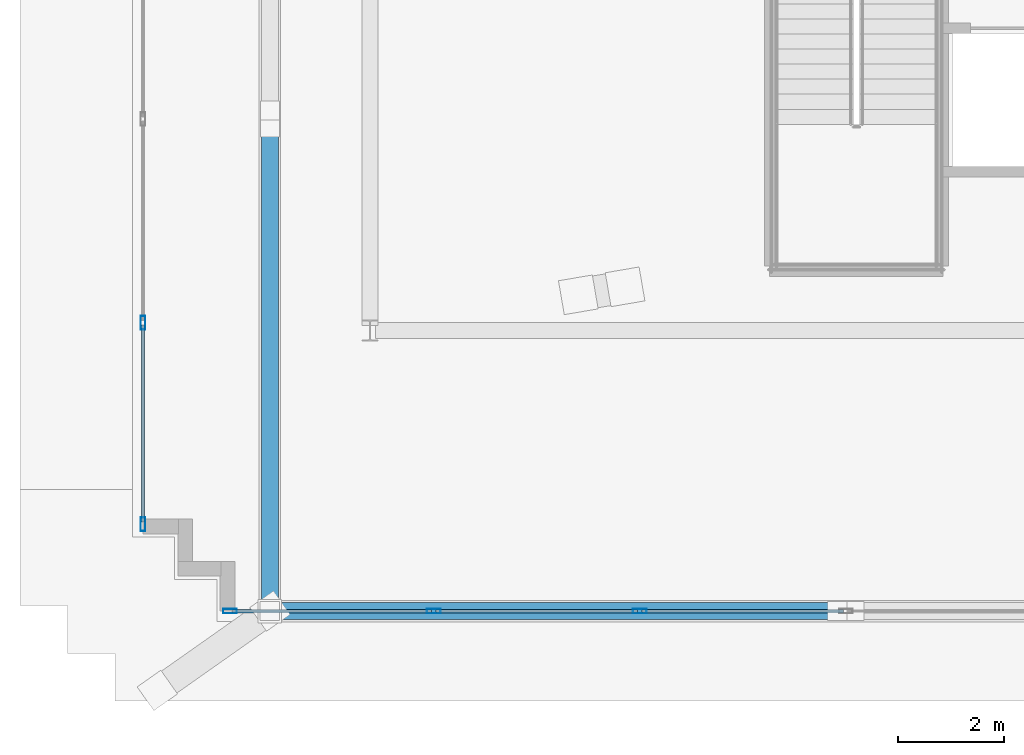
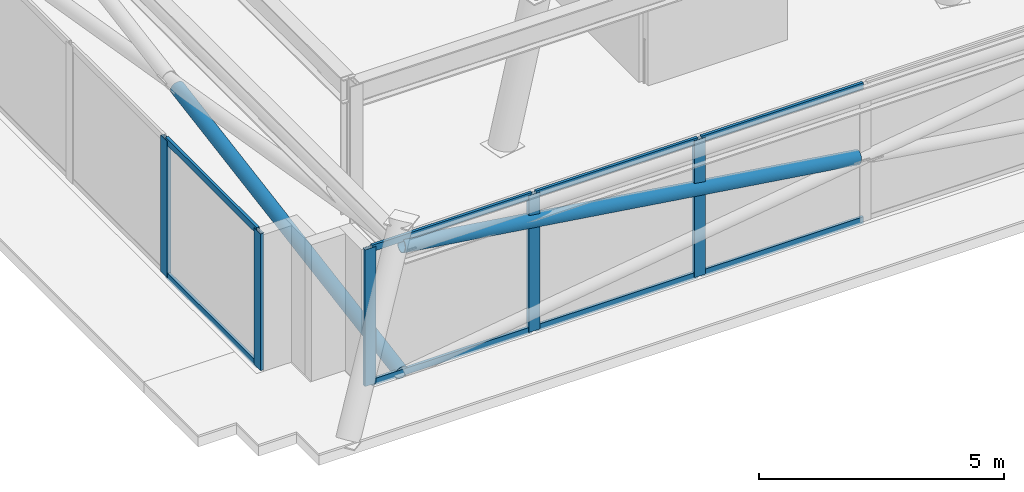
# One storey, part 2 of 13: 15 members, 2 elements without a shape of their own.
"""IFC4 building model written with IfcOpenShell, lengths in metres."""

from ifc_helpers import new_model, si_unit, direction, frame, origin, origin_2d, place, context, subcontext, project, spatial, hollow_rectangle, hollow_circle, extrude, material, layer, layer_set, material_profile, profile_set, type_object, element, aggregate, save


model = new_model("IFC4")

# Units and contexts
model_context = context("Model", 3, precision=1e-05, world=origin(), true_north=direction((0.0, 1.0)))
body_context = subcontext(model_context, "Body", "Model", "MODEL_VIEW")
ifc_project = project(units=[si_unit("LENGTHUNIT", "METRE"), si_unit("AREAUNIT", "SQUARE_METRE"), si_unit("VOLUMEUNIT", "CUBIC_METRE"), si_unit("PLANEANGLEUNIT", "RADIAN"), si_unit("MASSUNIT", "GRAM", prefix="KILO")], contexts=[model_context])

# Site, building, storey
site_placement = place(None, origin())
site = spatial("IfcSite", under=ifc_project, at=site_placement, CompositionType="ELEMENT")
building_placement = place(site_placement, origin())
building = spatial("IfcBuilding", under=site, at=building_placement, Name="Qobustan Lattice House", CompositionType="ELEMENT")
storey_placement = place(building_placement, frame((0.0, 0.0, 285.39990234375)))
storey = spatial("IfcBuildingStorey", under=building, at=storey_placement, Name="L80", CompositionType="ELEMENT", Elevation=285.39990234375)

# Curtain wall, members
ifc_material_1 = material(Name="Anodised aluminium and low-E glazing", Category="aluminium")
ifc_layer = layer(ifc_material_1, 0.219970703125)
ifc_layer_set = layer_set([ifc_layer], Name="Anodised aluminium and low-E glazing")
curtain_wall_type = type_object("IfcCurtainWallType", Name="CW-CRN-01", PredefinedType="USERDEFINED", material=ifc_layer_set)
curtain_wall_1_placement = place(storey_placement, origin())
curtain_wall_1 = element("IfcCurtainWall", 1, at=curtain_wall_1_placement, inside=storey, type_object=curtain_wall_type, Name="L80 glass-point crown faceted curtain wall 5", ObjectType="CURTAIN WALL", PredefinedType="USERDEFINED")
ifc_material_2 = material(Name="Anodised aluminium EN AW-6063 T6", Category="aluminium")
ifc_material_profile_1 = material_profile(ifc_material_2, hollow_rectangle(XDim=0.090087890625, YDim=0.260009765625, WallThickness=0.006103515625, at=origin_2d()), Name="CWM-CROWN-260x90")
ifc_profile_set_1 = profile_set([ifc_material_profile_1], Name="Anodised aluminium EN AW-6063 T6")
member_type_1 = type_object("IfcMemberType", Name="CWM-CRN-260", PredefinedType="MULLION", material=ifc_profile_set_1)
member_1_placement = place(storey_placement, frame((-13.493408203125, -9.261474609375, 0.0), z_axis=(0.0, 0.0, 1.0), x_axis=(-1.0, 0.0, 0.0)))
member_1 = element("IfcMember", 2, at=member_1_placement, type_object=member_type_1, Name="CW-CR mullion 1", PredefinedType="MULLION", context=body_context, shape_type="SweptSolid", body=[
    extrude(hollow_rectangle(XDim=0.090087890625, YDim=0.260009765625, WallThickness=0.006103515625, at=origin_2d()), origin(), (0.0, 0.0, 1.0), 3.400146484375),
])
member_2_placement = place(storey_placement, frame((-13.493408203125, -5.453369140625, 0.0), z_axis=(0.0, 0.0, 1.0), x_axis=(-1.0, 0.0, 0.0)))
member_2 = element("IfcMember", 3, at=member_2_placement, type_object=member_type_1, Name="CW-CR mullion 2", PredefinedType="MULLION", context=body_context, shape_type="SweptSolid", body=[
    extrude(hollow_rectangle(XDim=0.090087890625, YDim=0.260009765625, WallThickness=0.006103515625, at=origin_2d()), origin(), (0.0, 0.0, 1.0), 3.400146484375),
])

curtain_wall_2_placement = place(storey_placement, origin())
curtain_wall_2 = element("IfcCurtainWall", 4, at=curtain_wall_2_placement, inside=storey, type_object=curtain_wall_type, Name="L80 glass-point crown faceted curtain wall 20", ObjectType="CURTAIN WALL", PredefinedType="USERDEFINED")
member_3_placement = place(storey_placement, frame((-4.097900390625, -10.906494140625, 0.0), z_axis=(0.0, 0.0, 1.0), x_axis=(0.0, -1.0, 0.0)))
member_3 = element("IfcMember", 5, at=member_3_placement, type_object=member_type_1, Name="CW-CR mullion 5", PredefinedType="MULLION", context=body_context, shape_type="SweptSolid", body=[
    extrude(hollow_rectangle(XDim=0.090087890625, YDim=0.260009765625, WallThickness=0.006103515625, at=origin_2d()), origin(), (0.0, 0.0, 1.0), 3.400146484375),
])
member_4_placement = place(storey_placement, frame((-7.99560546875, -10.906494140625, 0.0), z_axis=(0.0, 0.0, 1.0), x_axis=(0.0, -1.0, 0.0)))
member_4 = element("IfcMember", 6, at=member_4_placement, type_object=member_type_1, Name="CW-CR mullion 6", PredefinedType="MULLION", context=body_context, shape_type="SweptSolid", body=[
    extrude(hollow_rectangle(XDim=0.090087890625, YDim=0.260009765625, WallThickness=0.006103515625, at=origin_2d()), origin(), (0.0, 0.0, 1.0), 3.400146484375),
])
member_5_placement = place(storey_placement, frame((-11.848388671875, -10.906494140625, 0.0), z_axis=(0.0, 0.0, 1.0), x_axis=(0.0, -1.0, 0.0)))
member_5 = element("IfcMember", 7, at=member_5_placement, type_object=member_type_1, Name="CW-CR mullion 7", PredefinedType="MULLION", context=body_context, shape_type="SweptSolid", body=[
    extrude(hollow_rectangle(XDim=0.090087890625, YDim=0.260009765625, WallThickness=0.006103515625, at=origin_2d()), origin(), (0.0, 0.0, 1.0), 3.400146484375),
])

# Member
ifc_material_3 = material(Name="Anodised aluminium EN AW-6063 T6", Category="aluminium")
ifc_material_profile_2 = material_profile(ifc_material_3, hollow_rectangle(XDim=0.06494140625, YDim=0.159912109375, WallThickness=0.00390625, at=origin_2d()), Name="CWT-160x65")
ifc_profile_set_2 = profile_set([ifc_material_profile_2], Name="Anodised aluminium EN AW-6063 T6")
member_type_2 = type_object("IfcMemberType", Name="CWT-HOR-160", PredefinedType="USERDEFINED", material=ifc_profile_set_2)
member_6_placement = place(storey_placement, frame((-13.493408203125, -9.216552734375, 0.03271484375), z_axis=(0.0, 1.0, 0.0), x_axis=(-1.0, 0.0, 0.0)))
member_6 = element("IfcMember", 8, at=member_6_placement, type_object=member_type_2, Name="CW-CR transom 1.1", ObjectType="TRANSOM", PredefinedType="USERDEFINED", context=body_context, shape_type="SweptSolid", body=[
    extrude(hollow_rectangle(XDim=0.06494140625, YDim=0.159912109375, WallThickness=0.00390625, at=origin_2d()), origin(), (0.0, 0.0, 1.0), 3.71826171875),
])

member_7_placement = place(storey_placement, frame((-13.493408203125, -9.216552734375, 3.36767578125), z_axis=(0.0, 1.0, 0.0), x_axis=(-1.0, 0.0, 0.0)))
member_7 = element("IfcMember", 9, at=member_7_placement, type_object=member_type_2, Name="CW-CR transom 1.2", ObjectType="TRANSOM", PredefinedType="USERDEFINED", context=body_context, shape_type="SweptSolid", body=[
    extrude(hollow_rectangle(XDim=0.06494140625, YDim=0.159912109375, WallThickness=0.00390625, at=origin_2d()), origin(), (0.0, 0.0, 1.0), 3.71826171875),
])

aggregate(curtain_wall_1, [member_1, member_2, member_6, member_7])

member_8_placement = place(storey_placement, frame((-0.2451171875, -10.906494140625, 0.03271484375), z_axis=(-1.0, 0.0, 0.0), x_axis=(0.0, -1.0, 0.0)))
member_8 = element("IfcMember", 10, at=member_8_placement, type_object=member_type_2, Name="CW-CR transom 4.1", ObjectType="TRANSOM", PredefinedType="USERDEFINED", context=body_context, shape_type="SweptSolid", body=[
    extrude(hollow_rectangle(XDim=0.06494140625, YDim=0.159912109375, WallThickness=0.00390625, at=origin_2d()), origin(), (0.0, 0.0, 1.0), 3.8076171875),
])

member_9_placement = place(storey_placement, frame((-0.2451171875, -10.906494140625, 3.36767578125), z_axis=(-1.0, 0.0, 0.0), x_axis=(0.0, -1.0, 0.0)))
member_9 = element("IfcMember", 11, at=member_9_placement, type_object=member_type_2, Name="CW-CR transom 4.2", ObjectType="TRANSOM", PredefinedType="USERDEFINED", context=body_context, shape_type="SweptSolid", body=[
    extrude(hollow_rectangle(XDim=0.06494140625, YDim=0.159912109375, WallThickness=0.00390625, at=origin_2d()), origin(), (0.0, 0.0, 1.0), 3.8076171875),
])

member_10_placement = place(storey_placement, frame((-4.142822265625, -10.906494140625, 0.03271484375), z_axis=(-1.0, 0.0, 0.0), x_axis=(0.0, -1.0, 0.0)))
member_10 = element("IfcMember", 12, at=member_10_placement, type_object=member_type_2, Name="CW-CR transom 5.1", ObjectType="TRANSOM", PredefinedType="USERDEFINED", context=body_context, shape_type="SweptSolid", body=[
    extrude(hollow_rectangle(XDim=0.06494140625, YDim=0.159912109375, WallThickness=0.00390625, at=origin_2d()), origin(), (0.0, 0.0, 1.0), 3.807861328125),
])

member_11_placement = place(storey_placement, frame((-4.142822265625, -10.906494140625, 3.36767578125), z_axis=(-1.0, 0.0, 0.0), x_axis=(0.0, -1.0, 0.0)))
member_11 = element("IfcMember", 13, at=member_11_placement, type_object=member_type_2, Name="CW-CR transom 5.2", ObjectType="TRANSOM", PredefinedType="USERDEFINED", context=body_context, shape_type="SweptSolid", body=[
    extrude(hollow_rectangle(XDim=0.06494140625, YDim=0.159912109375, WallThickness=0.00390625, at=origin_2d()), origin(), (0.0, 0.0, 1.0), 3.807861328125),
])

member_12_placement = place(storey_placement, frame((-8.040771484375, -10.906494140625, 0.03271484375), z_axis=(-1.0, 0.0, 0.0), x_axis=(0.0, -1.0, 0.0)))
member_12 = element("IfcMember", 14, at=member_12_placement, type_object=member_type_2, Name="CW-CR transom 6.1", ObjectType="TRANSOM", PredefinedType="USERDEFINED", context=body_context, shape_type="SweptSolid", body=[
    extrude(hollow_rectangle(XDim=0.06494140625, YDim=0.159912109375, WallThickness=0.00390625, at=origin_2d()), origin(), (0.0, 0.0, 1.0), 3.7626953125),
])

member_13_placement = place(storey_placement, frame((-8.040771484375, -10.906494140625, 3.36767578125), z_axis=(-1.0, 0.0, 0.0), x_axis=(0.0, -1.0, 0.0)))
member_13 = element("IfcMember", 15, at=member_13_placement, type_object=member_type_2, Name="CW-CR transom 6.2", ObjectType="TRANSOM", PredefinedType="USERDEFINED", context=body_context, shape_type="SweptSolid", body=[
    extrude(hollow_rectangle(XDim=0.06494140625, YDim=0.159912109375, WallThickness=0.00390625, at=origin_2d()), origin(), (0.0, 0.0, 1.0), 3.7626953125),
])

aggregate(curtain_wall_2, [member_3, member_4, member_5, member_8, member_9, member_10, member_11, member_12, member_13])

# Members
ifc_material_4 = material(Name="Steel S355", Category="steel")
ifc_material_profile_3 = material_profile(ifc_material_4, hollow_circle(Radius=0.161865234375, WallThickness=0.012451171875, at=origin_2d()), Name="CHS323.9x12.5")
ifc_profile_set_3 = profile_set([ifc_material_profile_3], Name="Steel S355")
member_type_3 = type_object("IfcMemberType", Name="MEM-CBR-CHS324", PredefinedType="BRACE", material=ifc_profile_set_3)
member_14_placement = place(storey_placement, frame((-0.3662109375, -10.906494140625, 1.621826171875), z_axis=(-0.989612496266, 0.0, 0.143760589992), x_axis=(0.0, -1.0, 0.0)))
element("IfcMember", 16, at=member_14_placement, inside=storey, type_object=member_type_3, Name="L80 crown diagrid split brace 1B upper", PredefinedType="BRACE", context=body_context, shape_type="SweptSolid", body=[
    extrude(hollow_circle(Radius=0.161865234375, WallThickness=0.012451171875, at=origin_2d()), origin(), (0.0, 0.0, 1.0), 10.83984375),
])
member_15_placement = place(storey_placement, frame((-11.093505859375, -10.906494140625, 0.01513671875), z_axis=(0.0, 0.985851365296, 0.167621852821), x_axis=(-1.0, 0.0, 0.0)))
element("IfcMember", 17, at=member_15_placement, inside=storey, type_object=member_type_3, Name="L80 crown diagrid split brace 4B lower", PredefinedType="BRACE", context=body_context, shape_type="SweptSolid", body=[
    extrude(hollow_circle(Radius=0.161865234375, WallThickness=0.012451171875, at=origin_2d()), origin(), (0.0, 0.0, 1.0), 9.27197265625),
])

save(model, "model.ifc")
